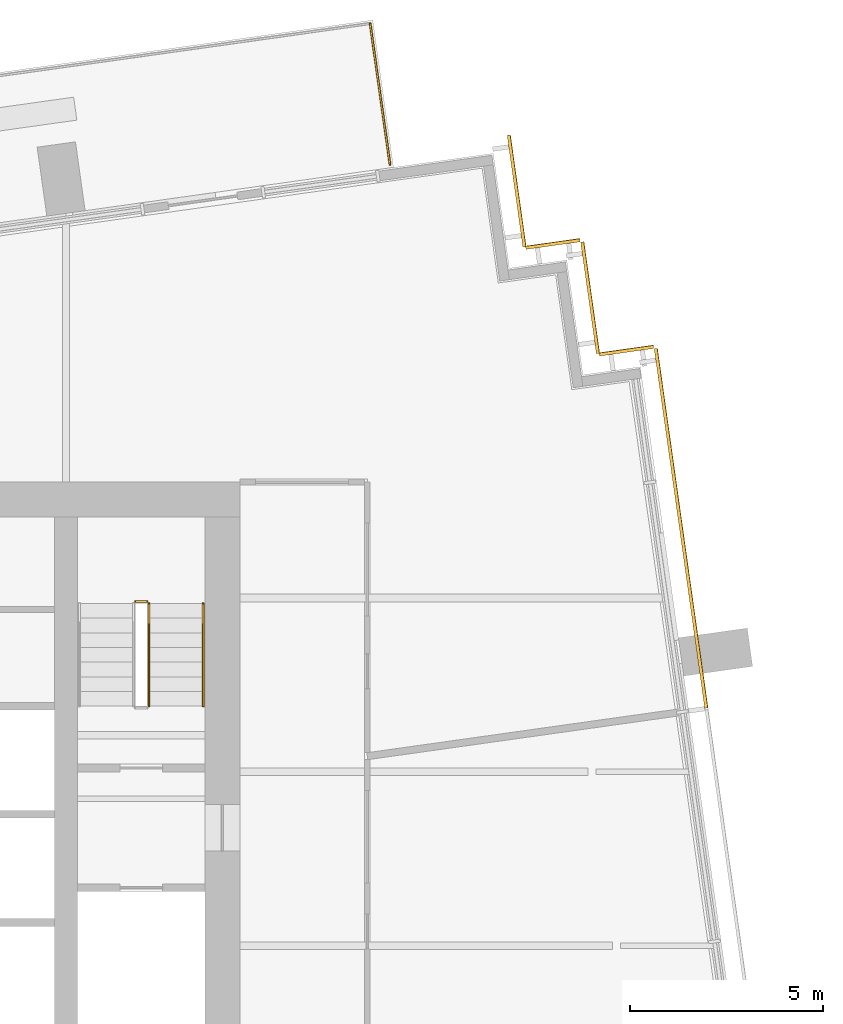
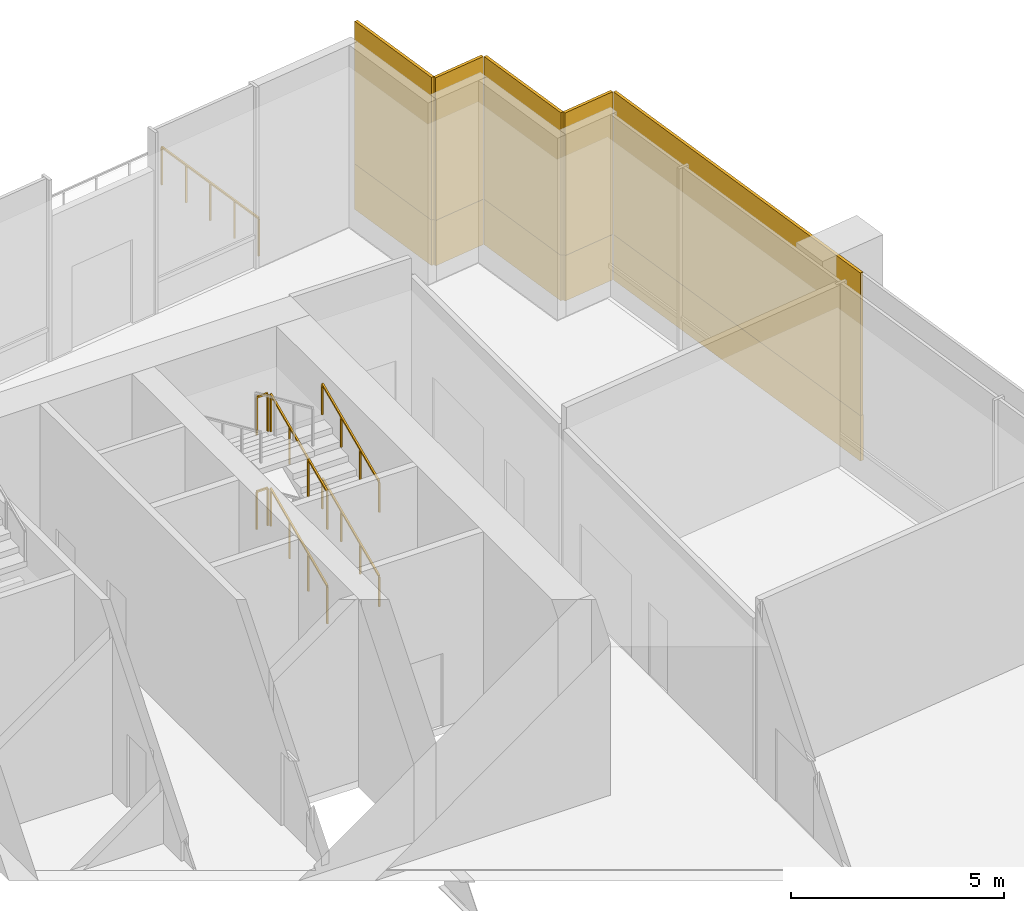
# One storey, part 18 of 18: 10 coverings, 7 railings.
"""IFC4 building model written with IfcOpenShell, lengths in metres."""

from ifc_helpers import new_model, si_unit, direction, frame, origin, origin_2d, place, context, subcontext, project, spatial, rectangle, extrude, material, layer, layer_set, type_object, element, save


model = new_model("IFC4")

# Units and contexts
model_context = context("Model", 3, precision=1e-05, world=origin(), true_north=direction((0.0, 1.0)))
body_context = subcontext(model_context, "Body", "Model", "MODEL_VIEW")
ifc_project = project(units=[si_unit("LENGTHUNIT", "METRE"), si_unit("AREAUNIT", "SQUARE_METRE"), si_unit("VOLUMEUNIT", "CUBIC_METRE"), si_unit("PLANEANGLEUNIT", "RADIAN"), si_unit("MASSUNIT", "GRAM", prefix="KILO")], contexts=[model_context])

# Site, building, storey
site_placement = place(None, origin())
site = spatial("IfcSite", under=ifc_project, at=site_placement, CompositionType="ELEMENT")
building_placement = place(site_placement, origin())
building = spatial("IfcBuilding", under=site, at=building_placement, Name="Rattan Terrace Tower", CompositionType="ELEMENT")
storey_placement = place(building_placement, frame((0.0, 0.0, 208.10009765625)))
storey = spatial("IfcBuildingStorey", under=building, at=storey_placement, Name="L47", CompositionType="ELEMENT", Elevation=208.10009765625)

# Railings
ifc_material_1 = material(Name="Powder-coated steel guard", Category="steel")
railing_type_1 = type_object("IfcRailingType", Name="Core stair guard", PredefinedType="GUARDRAIL", material=ifc_material_1)
railing_1_placement = place(storey_placement, frame((15.64990234375, 1.699951171875, 0.168701171875)))
element("IfcRailing", 1, at=railing_1_placement, inside=storey, type_object=railing_type_1, Name="L47 S2 stair guard 1", PredefinedType="GUARDRAIL", context=body_context, shape_type="SweptSolid", body=[
    extrude(rectangle(XDim=0.048095703125, YDim=0.048095703125, at=origin_2d()), frame((0.0, 0.0, 1.076171875), z_axis=(0.0, 0.913956766905, 0.405811567391), x_axis=(-1.0, 0.0, 0.0)), (0.0, 0.0, 1.0), 2.91064453125),
    extrude(rectangle(XDim=0.0419921875, YDim=0.0419921875, at=origin_2d()), origin(), (0.0, 0.0, 1.0), 1.052001953125),
    extrude(rectangle(XDim=0.0419921875, YDim=0.0419921875, at=origin_2d()), frame((0.0, 0.88671875, 0.393798828125)), (0.0, 0.0, 1.0), 1.052001953125),
    extrude(rectangle(XDim=0.0419921875, YDim=0.0419921875, at=origin_2d()), frame((0.0, 1.7734375, 0.787353515625)), (0.0, 0.0, 1.0), 1.052001953125),
    extrude(rectangle(XDim=0.0419921875, YDim=0.0419921875, at=origin_2d()), frame((0.0, 2.66015625, 1.18115234375)), (0.0, 0.0, 1.0), 1.052001953125),
])
railing_2_placement = place(storey_placement, frame((15.60009765625, 4.409912109375, 1.349853515625)))
element("IfcRailing", 2, at=railing_2_placement, inside=storey, type_object=railing_type_1, Name="L47 S2 stair guard 2", PredefinedType="GUARDRAIL", context=body_context, shape_type="SweptSolid", body=[
    extrude(rectangle(XDim=0.048095703125, YDim=0.048095703125, at=origin_2d()), frame((0.0, 0.0, 1.076171875), z_axis=(-1.0, 0.0, 0.0), x_axis=(0.0, -1.0, 0.0)), (0.0, 0.0, 1.0), 0.300048828125),
    extrude(rectangle(XDim=0.0419921875, YDim=0.0419921875, at=origin_2d()), origin(), (0.0, 0.0, 1.0), 1.052001953125),
    extrude(rectangle(XDim=0.0419921875, YDim=0.0419921875, at=origin_2d()), frame((-0.300048828125, 0.0, 0.0)), (0.0, 0.0, 1.0), 1.052001953125),
])
railing_3_placement = place(storey_placement, frame((15.64990234375, 1.699951171875, 2.86865234375)))
element("IfcRailing", 3, at=railing_3_placement, inside=storey, type_object=railing_type_1, Name="L47 S2 stair guard 5", PredefinedType="GUARDRAIL", context=body_context, shape_type="SweptSolid", body=[
    extrude(rectangle(XDim=0.048095703125, YDim=0.048095703125, at=origin_2d()), frame((0.0, 0.0, 1.076171875), z_axis=(0.0, 0.913956766905, 0.405811567391), x_axis=(-1.0, 0.0, 0.0)), (0.0, 0.0, 1.0), 2.91064453125),
    extrude(rectangle(XDim=0.0419921875, YDim=0.0419921875, at=origin_2d()), origin(), (0.0, 0.0, 1.0), 1.052001953125),
    extrude(rectangle(XDim=0.0419921875, YDim=0.0419921875, at=origin_2d()), frame((0.0, 0.88671875, 0.393798828125)), (0.0, 0.0, 1.0), 1.052001953125),
    extrude(rectangle(XDim=0.0419921875, YDim=0.0419921875, at=origin_2d()), frame((0.0, 1.7734375, 0.787353515625)), (0.0, 0.0, 1.0), 1.052001953125),
    extrude(rectangle(XDim=0.0419921875, YDim=0.0419921875, at=origin_2d()), frame((0.0, 2.66015625, 1.18115234375)), (0.0, 0.0, 1.0), 1.052001953125),
])
railing_4_placement = place(storey_placement, frame((15.60009765625, 4.409912109375, 4.0498046875)))
element("IfcRailing", 4, at=railing_4_placement, inside=storey, type_object=railing_type_1, Name="L47 S2 stair guard 6", PredefinedType="GUARDRAIL", context=body_context, shape_type="SweptSolid", body=[
    extrude(rectangle(XDim=0.048095703125, YDim=0.048095703125, at=origin_2d()), frame((0.0, 0.0, 1.076171875), z_axis=(-1.0, 0.0, 0.0), x_axis=(0.0, -1.0, 0.0)), (0.0, 0.0, 1.0), 0.300048828125),
    extrude(rectangle(XDim=0.0419921875, YDim=0.0419921875, at=origin_2d()), origin(), (0.0, 0.0, 1.0), 1.052001953125),
    extrude(rectangle(XDim=0.0419921875, YDim=0.0419921875, at=origin_2d()), frame((-0.300048828125, 0.0, 0.0)), (0.0, 0.0, 1.0), 1.052001953125),
])
ifc_material_2 = material(Name="Powder-coated steel handrail", Category="steel")
railing_type_2 = type_object("IfcRailingType", Name="Core stair handrail", PredefinedType="HANDRAIL", material=ifc_material_2)
for number, where, name in (
    (5, (17.050048828125, 1.699951171875, 0.168701171875), "L47 S2 stair handrail 1"),
    (6, (17.050048828125, 1.699951171875, 2.86865234375), "L47 S2 stair handrail 3"),
):
    element("IfcRailing", number, at=place(storey_placement, frame(where)), inside=storey, type_object=railing_type_2, Name=name, PredefinedType="HANDRAIL", context=body_context, shape_type="SweptSolid", body=[
        extrude(rectangle(XDim=0.048095703125, YDim=0.048095703125, at=origin_2d()), frame((0.0, 0.0, 0.8759765625), z_axis=(0.0, 0.913956766905, 0.405811567391), x_axis=(-1.0, 0.0, 0.0)), (0.0, 0.0, 1.0), 2.91064453125),
        extrude(rectangle(XDim=0.0419921875, YDim=0.0419921875, at=origin_2d()), origin(), (0.0, 0.0, 1.0), 0.851806640625),
        extrude(rectangle(XDim=0.0419921875, YDim=0.0419921875, at=origin_2d()), frame((0.0, 0.88671875, 0.393798828125)), (0.0, 0.0, 1.0), 0.851806640625),
        extrude(rectangle(XDim=0.0419921875, YDim=0.0419921875, at=origin_2d()), frame((0.0, 1.7734375, 0.787353515625)), (0.0, 0.0, 1.0), 0.851806640625),
        extrude(rectangle(XDim=0.0419921875, YDim=0.0419921875, at=origin_2d()), frame((0.0, 2.66015625, 1.18115234375)), (0.0, 0.0, 1.0), 0.851806640625),
    ])
ifc_material_3 = material(Name="Stainless steel 316", Category="steel")
railing_type_3 = type_object("IfcRailingType", Name="Facade Guard 1100", PredefinedType="GUARDRAIL", material=ifc_material_3)
railing_5_placement = place(storey_placement, frame((21.375, 19.373046875, 0.0)))
element("IfcRailing", 7, at=railing_5_placement, inside=storey, type_object=railing_type_3, Name="Terrace guard L47-1-13", PredefinedType="GUARDRAIL", context=body_context, shape_type="SweptSolid", body=[
    extrude(rectangle(XDim=0.048095703125, YDim=0.048095703125, at=origin_2d()), frame((0.0, 0.0, 1.076171875), z_axis=(0.139381647704, -0.990238737014, 0.0), x_axis=(0.990238737014, 0.139381647704, 0.0)), (0.0, 0.0, 1.0), 3.68701171875),
    extrude(rectangle(XDim=0.0419921875, YDim=0.0419921875, at=origin_2d()), origin(), (0.0, 0.0, 1.0), 1.052001953125),
    extrude(rectangle(XDim=0.0419921875, YDim=0.0419921875, at=origin_2d()), frame((0.12841796875, -0.912841796875, 0.0)), (0.0, 0.0, 1.0), 1.052001953125),
    extrude(rectangle(XDim=0.0419921875, YDim=0.0419921875, at=origin_2d()), frame((0.2568359375, -1.82568359375, 0.0)), (0.0, 0.0, 1.0), 1.052001953125),
    extrude(rectangle(XDim=0.0419921875, YDim=0.0419921875, at=origin_2d()), frame((0.385498046875, -2.73828125, 0.0)), (0.0, 0.0, 1.0), 1.052001953125),
    extrude(rectangle(XDim=0.0419921875, YDim=0.0419921875, at=origin_2d()), frame((0.513916015625, -3.651123046875, 0.0)), (0.0, 0.0, 1.0), 1.052001953125),
])

# Coverings
ifc_material_4 = material(Name="Solid terracotta", Category="masonry")
ifc_layer_1 = layer(ifc_material_4, 0.090087890625)
ifc_layer_set_1 = layer_set([ifc_layer_1], Name="Facade Terracotta Band Panel HZ")
covering_type_1 = type_object("IfcCoveringType", Name="Facade Terracotta Band Panel HZ", PredefinedType="CLADDING", material=ifc_layer_set_1)
covering_1_placement = place(storey_placement, frame((29.425537109375, 6.3037109375, -0.18994140625), z_axis=(0.0, 0.0, 1.0), x_axis=(-0.139186165309, 0.990266232579, 0.0)))
element("IfcCovering", 8, at=covering_1_placement, inside=storey, type_object=covering_type_1, Name="OUTER SKIN panel L47-8A", PredefinedType="CLADDING", context=body_context, shape_type="SweptSolid", body=[
    extrude(rectangle(XDim=9.39990234375, YDim=0.090087890625, at=origin_2d()), origin(), (0.0, 0.0, 1.0), 1.300048828125),
])
covering_2_placement = place(storey_placement, frame((28.00634765625, 10.90576171875, -0.18994140625), z_axis=(0.0, 0.0, 1.0), x_axis=(-0.990240767803, -0.139367219175, 0.0)))
element("IfcCovering", 9, at=covering_2_placement, inside=storey, type_object=covering_type_1, Name="OUTER SKIN panel L47-9A", PredefinedType="CLADDING", context=body_context, shape_type="SweptSolid", body=[
    extrude(rectangle(XDim=1.419677734375, YDim=0.090087890625, at=origin_2d()), origin(), (0.0, 0.0, 1.0), 1.300048828125),
])
covering_3_placement = place(storey_placement, frame((27.07177734375, 12.27392578125, -0.18994140625), z_axis=(0.0, 0.0, 1.0), x_axis=(-0.139321220646, 0.990247240581, 0.0)))
element("IfcCovering", 10, at=covering_3_placement, inside=storey, type_object=covering_type_1, Name="OUTER SKIN panel L47-10A", PredefinedType="CLADDING", context=body_context, shape_type="SweptSolid", body=[
    extrude(rectangle(XDim=2.920166015625, YDim=0.090087890625, at=origin_2d()), origin(), (0.0, 0.0, 1.0), 1.300048828125),
])
covering_4_placement = place(storey_placement, frame((26.103271484375, 13.667724609375, -0.18994140625), z_axis=(0.0, 0.0, 1.0), x_axis=(-0.990240767803, -0.139367219175, 0.0)))
element("IfcCovering", 11, at=covering_4_placement, inside=storey, type_object=covering_type_1, Name="OUTER SKIN panel L47-11A", PredefinedType="CLADDING", context=body_context, shape_type="SweptSolid", body=[
    extrude(rectangle(XDim=1.419677734375, YDim=0.090087890625, at=origin_2d()), origin(), (0.0, 0.0, 1.0), 1.300048828125),
])
covering_5_placement = place(storey_placement, frame((25.168701171875, 15.035888671875, -0.18994140625), z_axis=(0.0, 0.0, 1.0), x_axis=(-0.139321220646, 0.990247240581, 0.0)))
element("IfcCovering", 12, at=covering_5_placement, inside=storey, type_object=covering_type_1, Name="OUTER SKIN panel L47-12A", PredefinedType="CLADDING", context=body_context, shape_type="SweptSolid", body=[
    extrude(rectangle(XDim=2.920166015625, YDim=0.090087890625, at=origin_2d()), origin(), (0.0, 0.0, 1.0), 1.300048828125),
])
ifc_material_5 = material(Name="Perforated terracotta", Category="masonry")
ifc_layer_2 = layer(ifc_material_5, 0.080078125)
ifc_layer_set_2 = layer_set([ifc_layer_2], Name="Facade Terracotta Screen Panel HZ")
covering_type_2 = type_object("IfcCoveringType", Name="Facade Terracotta Screen Panel HZ", PredefinedType="CLADDING", material=ifc_layer_set_2)
covering_6_placement = place(storey_placement, frame((29.420654296875, 6.302978515625, 1.10986328125), z_axis=(0.0, 0.0, 1.0), x_axis=(-0.139186165309, 0.990266232579, 0.0)))
element("IfcCovering", 13, at=covering_6_placement, inside=storey, type_object=covering_type_2, Name="OUTER SKIN panel L47-8B", PredefinedType="CLADDING", context=body_context, shape_type="SweptSolid", body=[
    extrude(rectangle(XDim=9.39990234375, YDim=0.080078125, at=origin_2d()), origin(), (0.0, 0.0, 1.0), 4.080078125),
])
covering_7_placement = place(storey_placement, frame((28.007080078125, 10.900634765625, 1.10986328125), z_axis=(0.0, 0.0, 1.0), x_axis=(-0.990240767803, -0.139367219175, 0.0)))
element("IfcCovering", 14, at=covering_7_placement, inside=storey, type_object=covering_type_2, Name="OUTER SKIN panel L47-9B", PredefinedType="CLADDING", context=body_context, shape_type="SweptSolid", body=[
    extrude(rectangle(XDim=1.419677734375, YDim=0.080078125, at=origin_2d()), origin(), (0.0, 0.0, 1.0), 4.080078125),
])
covering_8_placement = place(storey_placement, frame((27.06689453125, 12.273193359375, 1.10986328125), z_axis=(0.0, 0.0, 1.0), x_axis=(-0.139321220646, 0.990247240581, 0.0)))
element("IfcCovering", 15, at=covering_8_placement, inside=storey, type_object=covering_type_2, Name="OUTER SKIN panel L47-10B", PredefinedType="CLADDING", context=body_context, shape_type="SweptSolid", body=[
    extrude(rectangle(XDim=2.920166015625, YDim=0.080078125, at=origin_2d()), origin(), (0.0, 0.0, 1.0), 4.080078125),
])
covering_9_placement = place(storey_placement, frame((26.10400390625, 13.662841796875, 1.10986328125), z_axis=(0.0, 0.0, 1.0), x_axis=(-0.990240767803, -0.139367219175, 0.0)))
element("IfcCovering", 16, at=covering_9_placement, inside=storey, type_object=covering_type_2, Name="OUTER SKIN panel L47-11B", PredefinedType="CLADDING", context=body_context, shape_type="SweptSolid", body=[
    extrude(rectangle(XDim=1.419677734375, YDim=0.080078125, at=origin_2d()), origin(), (0.0, 0.0, 1.0), 4.080078125),
])
covering_10_placement = place(storey_placement, frame((25.163818359375, 15.03515625, 1.10986328125), z_axis=(0.0, 0.0, 1.0), x_axis=(-0.139321220646, 0.990247240581, 0.0)))
element("IfcCovering", 17, at=covering_10_placement, inside=storey, type_object=covering_type_2, Name="OUTER SKIN panel L47-12B", PredefinedType="CLADDING", context=body_context, shape_type="SweptSolid", body=[
    extrude(rectangle(XDim=2.920166015625, YDim=0.080078125, at=origin_2d()), origin(), (0.0, 0.0, 1.0), 4.080078125),
])

save(model, "model.ifc")
